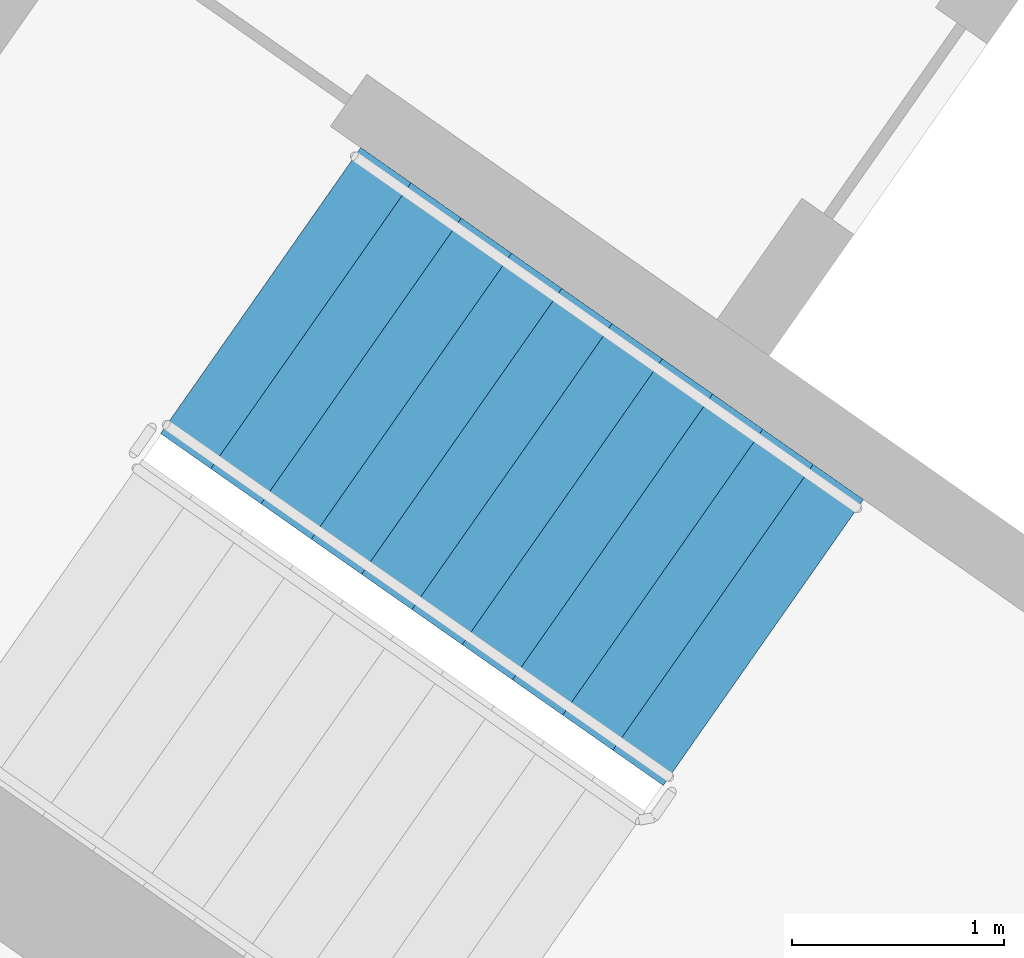
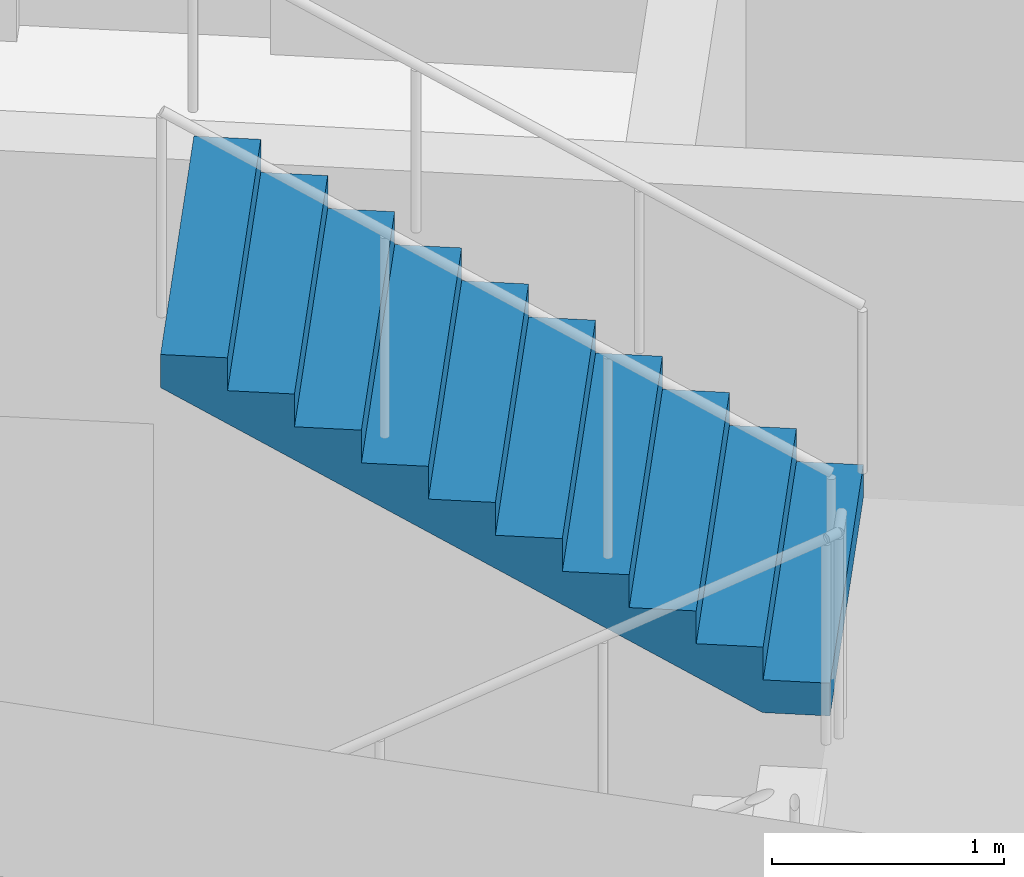
# One storey, part 10 of 29: 1 stair flight, 1 element without a shape of its own.
"""IFC4 building model written with IfcOpenShell, lengths in metres."""

from ifc_helpers import new_model, si_unit, direction, frame, origin, place, context, subcontext, project, spatial, faceted_brep, material, type_object, element, aggregate, save


model = new_model("IFC4")

# Units and contexts
model_context = context("Model", 3, precision=1e-05, world=origin(), true_north=direction((0.0, 1.0)))
body_context = subcontext(model_context, "Body", "Model", "MODEL_VIEW")
ifc_project = project(units=[si_unit("LENGTHUNIT", "METRE"), si_unit("AREAUNIT", "SQUARE_METRE"), si_unit("VOLUMEUNIT", "CUBIC_METRE"), si_unit("PLANEANGLEUNIT", "RADIAN"), si_unit("MASSUNIT", "GRAM", prefix="KILO")], contexts=[model_context])

# Site, building, storey
site_placement = place(None, origin())
site = spatial("IfcSite", under=ifc_project, at=site_placement, CompositionType="ELEMENT")
building_placement = place(site_placement, origin())
building = spatial("IfcBuilding", under=site, at=building_placement, Name="Qamariyya Broadcast Tower", CompositionType="ELEMENT")
storey_placement = place(building_placement, frame((0.0, 0.0, 261.89990234375)))
storey = spatial("IfcBuildingStorey", under=building, at=storey_placement, Name="L63", CompositionType="ELEMENT", Elevation=261.89990234375)

# Stair, stair flight
ifc_material = material(Name="Concrete C50/60", Category="concrete")
stair_type = type_object("IfcStairType", Name="Exit stair 22 risers of 173 mm", PredefinedType="HALF_TURN_STAIR", material=ifc_material)
stair_placement = place(storey_placement, origin())
stair = element("IfcStair", 1, at=stair_placement, inside=storey, type_object=stair_type, Name="L63 Stair W1", PredefinedType="HALF_TURN_STAIR")
stair_flight_type = type_object("IfcStairFlightType", Name="Exit stair flight 11 risers of 173 mm", PredefinedType="STRAIGHT", material=ifc_material)
stair_flight_placement = place(storey_placement, frame((-43.660888671875, -57.17138671875, 1.900146484375), z_axis=(0.0, 0.0, 1.0), x_axis=(-0.819152044289, 0.573576436351, 0.0)))
stair_flight = element("IfcStairFlight", 2, at=stair_flight_placement, type_object=stair_flight_type, Name="ST-W1 flight 2", NumberOfRisers=11, NumberOfTreads=10, PredefinedType="STRAIGHT", RiserHeight=0.172727273, TreadLength=0.29, context=body_context, shape_type="Brep", body=[
    faceted_brep([(0.0, 0.824951171875, 0.0), (0.0, 0.824951171875, 0.172607421875), (0.2900390625, 0.824951171875, 0.172607421875), (0.2900390625, 0.824951171875, 0.345458984375), (0.580078125, 0.824951171875, 0.345458984375), (0.580078125, 0.824951171875, 0.51806640625), (0.8701171875, 0.824951171875, 0.51806640625), (0.8701171875, 0.824951171875, 0.69091796875), (1.159912109375, 0.824951171875, 0.69091796875), (1.159912109375, 0.824951171875, 0.863525390625), (1.449951171875, 0.824951171875, 0.863525390625), (1.449951171875, 0.824951171875, 1.036376953125), (1.739990234375, 0.824951171875, 1.036376953125), (1.739990234375, 0.824951171875, 1.208984375), (2.030029296875, 0.824951171875, 1.208984375), (2.030029296875, 0.824951171875, 1.3818359375), (2.320068359375, 0.824951171875, 1.3818359375), (2.320068359375, 0.824951171875, 1.554443359375), (2.610107421875, 0.824951171875, 1.554443359375), (2.610107421875, 0.824951171875, 1.727294921875), (2.89990234375, 0.824951171875, 1.727294921875), (2.89990234375, 0.824951171875, 1.552734375), (0.29296875, 0.824951171875, 0.0), (0.29296875, -0.824951171875, 0.0), (2.89990234375, -0.824951171875, 1.552734375), (2.89990234375, -0.824951171875, 1.727294921875), (2.610107421875, -0.824951171875, 1.727294921875), (2.610107421875, -0.824951171875, 1.554443359375), (2.320068359375, -0.824951171875, 1.554443359375), (2.320068359375, -0.824951171875, 1.3818359375), (2.030029296875, -0.824951171875, 1.3818359375), (2.030029296875, -0.824951171875, 1.208984375), (1.739990234375, -0.824951171875, 1.208984375), (1.739990234375, -0.824951171875, 1.036376953125), (1.449951171875, -0.824951171875, 1.036376953125), (1.449951171875, -0.824951171875, 0.863525390625), (1.159912109375, -0.824951171875, 0.863525390625), (1.159912109375, -0.824951171875, 0.69091796875), (0.8701171875, -0.824951171875, 0.69091796875), (0.8701171875, -0.824951171875, 0.51806640625), (0.580078125, -0.824951171875, 0.51806640625), (0.580078125, -0.824951171875, 0.345458984375), (0.2900390625, -0.824951171875, 0.345458984375), (0.2900390625, -0.824951171875, 0.172607421875), (0.0, -0.824951171875, 0.172607421875), (0.0, -0.824951171875, 0.0), (0.0, 0.10009765625, 0.0), (0.0, 0.086669921875, 0.0), (0.0, 0.0732421875, 0.0), (0.0, 0.06005859375, 0.0), (0.0, 0.046630859375, 0.0), (0.0, 0.033447265625, 0.0), (0.0, 0.02001953125, 0.0), (0.0, 0.006591796875, 0.0), (0.0, -0.006591796875, 0.0), (0.0, -0.02001953125, 0.0), (0.0, -0.033447265625, 0.0), (0.0, -0.046630859375, 0.0), (0.0, -0.06005859375, 0.0), (0.0, -0.0732421875, 0.0), (0.0, -0.086669921875, 0.0), (0.0, -0.10009765625, 0.0), (0.0, -0.10009765625, 0.172607421875), (0.0, -0.086669921875, 0.172607421875), (0.0, -0.0732421875, 0.172607421875), (0.0, -0.06005859375, 0.172607421875), (0.0, -0.046630859375, 0.172607421875), (0.0, -0.033447265625, 0.172607421875), (0.0, -0.02001953125, 0.172607421875), (0.0, -0.006591796875, 0.172607421875), (0.0, 0.006591796875, 0.172607421875), (0.0, 0.02001953125, 0.172607421875), (0.0, 0.033447265625, 0.172607421875), (0.0, 0.046630859375, 0.172607421875), (0.0, 0.06005859375, 0.172607421875), (0.0, 0.0732421875, 0.172607421875), (0.0, 0.086669921875, 0.172607421875), (0.0, 0.10009765625, 0.172607421875), (0.2900390625, -0.10009765625, 0.172607421875), (0.2900390625, -0.086669921875, 0.172607421875), (0.2900390625, -0.0732421875, 0.172607421875), (0.2900390625, -0.06005859375, 0.172607421875), (0.2900390625, -0.046630859375, 0.172607421875), (0.2900390625, -0.033447265625, 0.172607421875), (0.2900390625, -0.02001953125, 0.172607421875), (0.2900390625, -0.006591796875, 0.172607421875), (0.2900390625, 0.006591796875, 0.172607421875), (0.2900390625, 0.02001953125, 0.172607421875), (0.2900390625, 0.033447265625, 0.172607421875), (0.2900390625, 0.046630859375, 0.172607421875), (0.2900390625, 0.06005859375, 0.172607421875), (0.2900390625, 0.0732421875, 0.172607421875), (0.2900390625, 0.086669921875, 0.172607421875), (0.2900390625, 0.10009765625, 0.172607421875), (0.2900390625, -0.10009765625, 0.345458984375), (0.2900390625, -0.086669921875, 0.345458984375), (0.2900390625, -0.0732421875, 0.345458984375), (0.2900390625, -0.06005859375, 0.345458984375), (0.2900390625, -0.046630859375, 0.345458984375), (0.2900390625, -0.033447265625, 0.345458984375), (0.2900390625, -0.02001953125, 0.345458984375), (0.2900390625, -0.006591796875, 0.345458984375), (0.2900390625, 0.006591796875, 0.345458984375), (0.2900390625, 0.02001953125, 0.345458984375), (0.2900390625, 0.033447265625, 0.345458984375), (0.2900390625, 0.046630859375, 0.345458984375), (0.2900390625, 0.06005859375, 0.345458984375), (0.2900390625, 0.0732421875, 0.345458984375), (0.2900390625, 0.086669921875, 0.345458984375), (0.2900390625, 0.10009765625, 0.345458984375), (0.580078125, -0.10009765625, 0.345458984375), (0.580078125, -0.086669921875, 0.345458984375), (0.580078125, -0.0732421875, 0.345458984375), (0.580078125, -0.06005859375, 0.345458984375), (0.580078125, -0.046630859375, 0.345458984375), (0.580078125, -0.033447265625, 0.345458984375), (0.580078125, -0.02001953125, 0.345458984375), (0.580078125, -0.006591796875, 0.345458984375), (0.580078125, 0.006591796875, 0.345458984375), (0.580078125, 0.02001953125, 0.345458984375), (0.580078125, 0.033447265625, 0.345458984375), (0.580078125, 0.046630859375, 0.345458984375), (0.580078125, 0.06005859375, 0.345458984375), (0.580078125, 0.0732421875, 0.345458984375), (0.580078125, 0.086669921875, 0.345458984375), (0.580078125, 0.10009765625, 0.345458984375), (0.580078125, -0.10009765625, 0.51806640625), (0.580078125, -0.086669921875, 0.51806640625), (0.580078125, -0.0732421875, 0.51806640625), (0.580078125, -0.06005859375, 0.51806640625), (0.580078125, -0.046630859375, 0.51806640625), (0.580078125, -0.033447265625, 0.51806640625), (0.580078125, -0.02001953125, 0.51806640625), (0.580078125, -0.006591796875, 0.51806640625), (0.580078125, 0.006591796875, 0.51806640625), (0.580078125, 0.02001953125, 0.51806640625), (0.580078125, 0.033447265625, 0.51806640625), (0.580078125, 0.046630859375, 0.51806640625), (0.580078125, 0.06005859375, 0.51806640625), (0.580078125, 0.0732421875, 0.51806640625), (0.580078125, 0.086669921875, 0.51806640625), (0.580078125, 0.10009765625, 0.51806640625), (0.8701171875, -0.10009765625, 0.51806640625), (0.8701171875, -0.086669921875, 0.51806640625), (0.8701171875, -0.0732421875, 0.51806640625), (0.8701171875, -0.06005859375, 0.51806640625), (0.8701171875, -0.046630859375, 0.51806640625), (0.8701171875, -0.033447265625, 0.51806640625), (0.8701171875, -0.02001953125, 0.51806640625), (0.8701171875, -0.006591796875, 0.51806640625), (0.8701171875, 0.006591796875, 0.51806640625), (0.8701171875, 0.02001953125, 0.51806640625), (0.8701171875, 0.033447265625, 0.51806640625), (0.8701171875, 0.046630859375, 0.51806640625), (0.8701171875, 0.06005859375, 0.51806640625), (0.8701171875, 0.0732421875, 0.51806640625), (0.8701171875, 0.086669921875, 0.51806640625), (0.8701171875, 0.10009765625, 0.51806640625), (0.8701171875, -0.10009765625, 0.69091796875), (0.8701171875, -0.086669921875, 0.69091796875), (0.8701171875, -0.0732421875, 0.69091796875), (0.8701171875, -0.06005859375, 0.69091796875), (0.8701171875, -0.046630859375, 0.69091796875), (0.8701171875, -0.033447265625, 0.69091796875), (0.8701171875, -0.02001953125, 0.69091796875), (0.8701171875, -0.006591796875, 0.69091796875), (0.8701171875, 0.006591796875, 0.69091796875), (0.8701171875, 0.02001953125, 0.69091796875), (0.8701171875, 0.033447265625, 0.69091796875), (0.8701171875, 0.046630859375, 0.69091796875), (0.8701171875, 0.06005859375, 0.69091796875), (0.8701171875, 0.0732421875, 0.69091796875), (0.8701171875, 0.086669921875, 0.69091796875), (0.8701171875, 0.10009765625, 0.69091796875), (1.159912109375, -0.10009765625, 0.69091796875), (1.159912109375, -0.086669921875, 0.69091796875), (1.159912109375, -0.0732421875, 0.69091796875), (1.159912109375, -0.06005859375, 0.69091796875), (1.159912109375, -0.046630859375, 0.69091796875), (1.159912109375, -0.033447265625, 0.69091796875), (1.159912109375, -0.02001953125, 0.69091796875), (1.159912109375, -0.006591796875, 0.69091796875), (1.159912109375, 0.006591796875, 0.69091796875), (1.159912109375, 0.02001953125, 0.69091796875), (1.159912109375, 0.033447265625, 0.69091796875), (1.159912109375, 0.046630859375, 0.69091796875), (1.159912109375, 0.06005859375, 0.69091796875), (1.159912109375, 0.0732421875, 0.69091796875), (1.159912109375, 0.086669921875, 0.69091796875), (1.159912109375, 0.10009765625, 0.69091796875), (1.159912109375, -0.10009765625, 0.863525390625), (1.159912109375, -0.086669921875, 0.863525390625), (1.159912109375, -0.0732421875, 0.863525390625), (1.159912109375, -0.06005859375, 0.863525390625), (1.159912109375, -0.046630859375, 0.863525390625), (1.159912109375, -0.033447265625, 0.863525390625), (1.159912109375, -0.02001953125, 0.863525390625), (1.159912109375, -0.006591796875, 0.863525390625), (1.159912109375, 0.006591796875, 0.863525390625), (1.159912109375, 0.02001953125, 0.863525390625), (1.159912109375, 0.033447265625, 0.863525390625), (1.159912109375, 0.046630859375, 0.863525390625), (1.159912109375, 0.06005859375, 0.863525390625), (1.159912109375, 0.0732421875, 0.863525390625), (1.159912109375, 0.086669921875, 0.863525390625), (1.159912109375, 0.10009765625, 0.863525390625), (1.449951171875, -0.10009765625, 0.863525390625), (1.449951171875, -0.086669921875, 0.863525390625), (1.449951171875, -0.0732421875, 0.863525390625), (1.449951171875, -0.06005859375, 0.863525390625), (1.449951171875, -0.046630859375, 0.863525390625), (1.449951171875, -0.033447265625, 0.863525390625), (1.449951171875, -0.02001953125, 0.863525390625), (1.449951171875, -0.006591796875, 0.863525390625), (1.449951171875, 0.006591796875, 0.863525390625), (1.449951171875, 0.02001953125, 0.863525390625), (1.449951171875, 0.033447265625, 0.863525390625), (1.449951171875, 0.046630859375, 0.863525390625), (1.449951171875, 0.06005859375, 0.863525390625), (1.449951171875, 0.0732421875, 0.863525390625), (1.449951171875, 0.086669921875, 0.863525390625), (1.449951171875, 0.10009765625, 0.863525390625), (1.449951171875, -0.10009765625, 1.036376953125), (1.449951171875, -0.086669921875, 1.036376953125), (1.449951171875, -0.0732421875, 1.036376953125), (1.449951171875, -0.06005859375, 1.036376953125), (1.449951171875, -0.046630859375, 1.036376953125), (1.449951171875, -0.033447265625, 1.036376953125), (1.449951171875, -0.02001953125, 1.036376953125), (1.449951171875, -0.006591796875, 1.036376953125), (1.449951171875, 0.006591796875, 1.036376953125), (1.449951171875, 0.02001953125, 1.036376953125), (1.449951171875, 0.033447265625, 1.036376953125), (1.449951171875, 0.046630859375, 1.036376953125), (1.449951171875, 0.06005859375, 1.036376953125), (1.449951171875, 0.0732421875, 1.036376953125), (1.449951171875, 0.086669921875, 1.036376953125), (1.449951171875, 0.10009765625, 1.036376953125), (1.739990234375, -0.10009765625, 1.036376953125), (1.739990234375, -0.086669921875, 1.036376953125), (1.739990234375, -0.0732421875, 1.036376953125), (1.739990234375, -0.06005859375, 1.036376953125), (1.739990234375, -0.046630859375, 1.036376953125), (1.739990234375, -0.033447265625, 1.036376953125), (1.739990234375, -0.02001953125, 1.036376953125), (1.739990234375, -0.006591796875, 1.036376953125), (1.739990234375, 0.006591796875, 1.036376953125), (1.739990234375, 0.02001953125, 1.036376953125), (1.739990234375, 0.033447265625, 1.036376953125), (1.739990234375, 0.046630859375, 1.036376953125), (1.739990234375, 0.06005859375, 1.036376953125), (1.739990234375, 0.0732421875, 1.036376953125), (1.739990234375, 0.086669921875, 1.036376953125), (1.739990234375, 0.10009765625, 1.036376953125), (1.739990234375, -0.10009765625, 1.208984375), (1.739990234375, -0.086669921875, 1.208984375), (1.739990234375, -0.0732421875, 1.208984375), (1.739990234375, -0.06005859375, 1.208984375), (1.739990234375, -0.046630859375, 1.208984375), (1.739990234375, -0.033447265625, 1.208984375), (1.739990234375, -0.02001953125, 1.208984375), (1.739990234375, -0.006591796875, 1.208984375), (1.739990234375, 0.006591796875, 1.208984375), (1.739990234375, 0.02001953125, 1.208984375), (1.739990234375, 0.033447265625, 1.208984375), (1.739990234375, 0.046630859375, 1.208984375), (1.739990234375, 0.06005859375, 1.208984375), (1.739990234375, 0.0732421875, 1.208984375), (1.739990234375, 0.086669921875, 1.208984375), (1.739990234375, 0.10009765625, 1.208984375), (2.030029296875, -0.10009765625, 1.208984375), (2.030029296875, -0.086669921875, 1.208984375), (2.030029296875, -0.0732421875, 1.208984375), (2.030029296875, -0.06005859375, 1.208984375), (2.030029296875, -0.046630859375, 1.208984375), (2.030029296875, -0.033447265625, 1.208984375), (2.030029296875, -0.02001953125, 1.208984375), (2.030029296875, -0.006591796875, 1.208984375), (2.030029296875, 0.006591796875, 1.208984375), (2.030029296875, 0.02001953125, 1.208984375), (2.030029296875, 0.033447265625, 1.208984375), (2.030029296875, 0.046630859375, 1.208984375), (2.030029296875, 0.06005859375, 1.208984375), (2.030029296875, 0.0732421875, 1.208984375), (2.030029296875, 0.086669921875, 1.208984375), (2.030029296875, 0.10009765625, 1.208984375), (2.030029296875, -0.10009765625, 1.3818359375), (2.030029296875, -0.086669921875, 1.3818359375), (2.030029296875, -0.0732421875, 1.3818359375), (2.030029296875, -0.06005859375, 1.3818359375), (2.030029296875, -0.046630859375, 1.3818359375), (2.030029296875, -0.033447265625, 1.3818359375), (2.030029296875, -0.02001953125, 1.3818359375), (2.030029296875, -0.006591796875, 1.3818359375), (2.030029296875, 0.006591796875, 1.3818359375), (2.030029296875, 0.02001953125, 1.3818359375), (2.030029296875, 0.033447265625, 1.3818359375), (2.030029296875, 0.046630859375, 1.3818359375), (2.030029296875, 0.06005859375, 1.3818359375), (2.030029296875, 0.0732421875, 1.3818359375), (2.030029296875, 0.086669921875, 1.3818359375), (2.030029296875, 0.10009765625, 1.3818359375), (2.320068359375, -0.10009765625, 1.3818359375), (2.320068359375, -0.086669921875, 1.3818359375), (2.320068359375, -0.0732421875, 1.3818359375), (2.320068359375, -0.06005859375, 1.3818359375), (2.320068359375, -0.046630859375, 1.3818359375), (2.320068359375, -0.033447265625, 1.3818359375), (2.320068359375, -0.02001953125, 1.3818359375), (2.320068359375, -0.006591796875, 1.3818359375), (2.320068359375, 0.006591796875, 1.3818359375), (2.320068359375, 0.02001953125, 1.3818359375), (2.320068359375, 0.033447265625, 1.3818359375), (2.320068359375, 0.046630859375, 1.3818359375), (2.320068359375, 0.06005859375, 1.3818359375), (2.320068359375, 0.0732421875, 1.3818359375), (2.320068359375, 0.086669921875, 1.3818359375), (2.320068359375, 0.10009765625, 1.3818359375), (2.320068359375, -0.10009765625, 1.554443359375), (2.320068359375, -0.086669921875, 1.554443359375), (2.320068359375, -0.0732421875, 1.554443359375), (2.320068359375, -0.06005859375, 1.554443359375), (2.320068359375, -0.046630859375, 1.554443359375), (2.320068359375, -0.033447265625, 1.554443359375), (2.320068359375, -0.02001953125, 1.554443359375), (2.320068359375, -0.006591796875, 1.554443359375), (2.320068359375, 0.006591796875, 1.554443359375), (2.320068359375, 0.02001953125, 1.554443359375), (2.320068359375, 0.033447265625, 1.554443359375), (2.320068359375, 0.046630859375, 1.554443359375), (2.320068359375, 0.06005859375, 1.554443359375), (2.320068359375, 0.0732421875, 1.554443359375), (2.320068359375, 0.086669921875, 1.554443359375), (2.320068359375, 0.10009765625, 1.554443359375), (2.610107421875, -0.10009765625, 1.554443359375), (2.610107421875, -0.086669921875, 1.554443359375), (2.610107421875, -0.0732421875, 1.554443359375), (2.610107421875, -0.06005859375, 1.554443359375), (2.610107421875, -0.046630859375, 1.554443359375), (2.610107421875, -0.033447265625, 1.554443359375), (2.610107421875, -0.02001953125, 1.554443359375), (2.610107421875, -0.006591796875, 1.554443359375), (2.610107421875, 0.006591796875, 1.554443359375), (2.610107421875, 0.02001953125, 1.554443359375), (2.610107421875, 0.033447265625, 1.554443359375), (2.610107421875, 0.046630859375, 1.554443359375), (2.610107421875, 0.06005859375, 1.554443359375), (2.610107421875, 0.0732421875, 1.554443359375), (2.610107421875, 0.086669921875, 1.554443359375), (2.610107421875, 0.10009765625, 1.554443359375), (2.610107421875, -0.10009765625, 1.727294921875), (2.610107421875, -0.086669921875, 1.727294921875), (2.610107421875, -0.0732421875, 1.727294921875), (2.610107421875, -0.06005859375, 1.727294921875), (2.610107421875, -0.046630859375, 1.727294921875), (2.610107421875, -0.033447265625, 1.727294921875), (2.610107421875, -0.02001953125, 1.727294921875), (2.610107421875, -0.006591796875, 1.727294921875), (2.610107421875, 0.006591796875, 1.727294921875), (2.610107421875, 0.02001953125, 1.727294921875), (2.610107421875, 0.033447265625, 1.727294921875), (2.610107421875, 0.046630859375, 1.727294921875), (2.610107421875, 0.06005859375, 1.727294921875), (2.610107421875, 0.0732421875, 1.727294921875), (2.610107421875, 0.086669921875, 1.727294921875), (2.610107421875, 0.10009765625, 1.727294921875), (2.89990234375, -0.10009765625, 1.727294921875), (2.89990234375, -0.086669921875, 1.727294921875), (2.89990234375, -0.0732421875, 1.727294921875), (2.89990234375, -0.06005859375, 1.727294921875), (2.89990234375, -0.046630859375, 1.727294921875), (2.89990234375, -0.033447265625, 1.727294921875), (2.89990234375, -0.02001953125, 1.727294921875), (2.89990234375, -0.006591796875, 1.727294921875), (2.89990234375, 0.006591796875, 1.727294921875), (2.89990234375, 0.02001953125, 1.727294921875), (2.89990234375, 0.033447265625, 1.727294921875), (2.89990234375, 0.046630859375, 1.727294921875), (2.89990234375, 0.06005859375, 1.727294921875), (2.89990234375, 0.0732421875, 1.727294921875), (2.89990234375, 0.086669921875, 1.727294921875), (2.89990234375, 0.10009765625, 1.727294921875), (2.89990234375, -0.10009765625, 1.552734375), (2.89990234375, -0.086669921875, 1.552734375), (2.89990234375, -0.0732421875, 1.552734375), (2.89990234375, -0.06005859375, 1.552734375), (2.89990234375, -0.046630859375, 1.552734375), (2.89990234375, -0.033447265625, 1.552734375), (2.89990234375, -0.02001953125, 1.552734375), (2.89990234375, -0.006591796875, 1.552734375), (2.89990234375, 0.006591796875, 1.552734375), (2.89990234375, 0.02001953125, 1.552734375), (2.89990234375, 0.033447265625, 1.552734375), (2.89990234375, 0.046630859375, 1.552734375), (2.89990234375, 0.06005859375, 1.552734375), (2.89990234375, 0.0732421875, 1.552734375), (2.89990234375, 0.086669921875, 1.552734375), (2.89990234375, 0.10009765625, 1.552734375), (0.29296875, -0.10009765625, 0.0), (0.29296875, -0.086669921875, 0.0), (0.29296875, -0.0732421875, 0.0), (0.29296875, -0.06005859375, 0.0), (0.29296875, -0.046630859375, 0.0), (0.29296875, -0.033447265625, 0.0), (0.29296875, -0.02001953125, 0.0), (0.29296875, -0.006591796875, 0.0), (0.29296875, 0.006591796875, 0.0), (0.29296875, 0.02001953125, 0.0), (0.29296875, 0.033447265625, 0.0), (0.29296875, 0.046630859375, 0.0), (0.29296875, 0.06005859375, 0.0), (0.29296875, 0.0732421875, 0.0), (0.29296875, 0.086669921875, 0.0), (0.29296875, 0.10009765625, 0.0)], [[[0, 1, 2, 3, 4, 5, 6, 7, 8, 9, 10, 11, 12, 13, 14, 15, 16, 17, 18, 19, 20, 21, 22]], [[23, 24, 25, 26, 27, 28, 29, 30, 31, 32, 33, 34, 35, 36, 37, 38, 39, 40, 41, 42, 43, 44, 45]], [[0, 46, 47, 48, 49, 50, 51, 52, 53, 54, 55, 56, 57, 58, 59, 60, 61, 45, 44, 62, 63, 64, 65, 66, 67, 68, 69, 70, 71, 72, 73, 74, 75, 76, 77, 1]], [[1, 77, 76, 75, 74, 73, 72, 71, 70, 69, 68, 67, 66, 65, 64, 63, 62, 44, 43, 78, 79, 80, 81, 82, 83, 84, 85, 86, 87, 88, 89, 90, 91, 92, 93, 2]], [[2, 93, 92, 91, 90, 89, 88, 87, 86, 85, 84, 83, 82, 81, 80, 79, 78, 43, 42, 94, 95, 96, 97, 98, 99, 100, 101, 102, 103, 104, 105, 106, 107, 108, 109, 3]], [[3, 109, 108, 107, 106, 105, 104, 103, 102, 101, 100, 99, 98, 97, 96, 95, 94, 42, 41, 110, 111, 112, 113, 114, 115, 116, 117, 118, 119, 120, 121, 122, 123, 124, 125, 4]], [[4, 125, 124, 123, 122, 121, 120, 119, 118, 117, 116, 115, 114, 113, 112, 111, 110, 41, 40, 126, 127, 128, 129, 130, 131, 132, 133, 134, 135, 136, 137, 138, 139, 140, 141, 5]], [[5, 141, 140, 139, 138, 137, 136, 135, 134, 133, 132, 131, 130, 129, 128, 127, 126, 40, 39, 142, 143, 144, 145, 146, 147, 148, 149, 150, 151, 152, 153, 154, 155, 156, 157, 6]], [[6, 157, 156, 155, 154, 153, 152, 151, 150, 149, 148, 147, 146, 145, 144, 143, 142, 39, 38, 158, 159, 160, 161, 162, 163, 164, 165, 166, 167, 168, 169, 170, 171, 172, 173, 7]], [[7, 173, 172, 171, 170, 169, 168, 167, 166, 165, 164, 163, 162, 161, 160, 159, 158, 38, 37, 174, 175, 176, 177, 178, 179, 180, 181, 182, 183, 184, 185, 186, 187, 188, 189, 8]], [[8, 189, 188, 187, 186, 185, 184, 183, 182, 181, 180, 179, 178, 177, 176, 175, 174, 37, 36, 190, 191, 192, 193, 194, 195, 196, 197, 198, 199, 200, 201, 202, 203, 204, 205, 9]], [[9, 205, 204, 203, 202, 201, 200, 199, 198, 197, 196, 195, 194, 193, 192, 191, 190, 36, 35, 206, 207, 208, 209, 210, 211, 212, 213, 214, 215, 216, 217, 218, 219, 220, 221, 10]], [[10, 221, 220, 219, 218, 217, 216, 215, 214, 213, 212, 211, 210, 209, 208, 207, 206, 35, 34, 222, 223, 224, 225, 226, 227, 228, 229, 230, 231, 232, 233, 234, 235, 236, 237, 11]], [[11, 237, 236, 235, 234, 233, 232, 231, 230, 229, 228, 227, 226, 225, 224, 223, 222, 34, 33, 238, 239, 240, 241, 242, 243, 244, 245, 246, 247, 248, 249, 250, 251, 252, 253, 12]], [[12, 253, 252, 251, 250, 249, 248, 247, 246, 245, 244, 243, 242, 241, 240, 239, 238, 33, 32, 254, 255, 256, 257, 258, 259, 260, 261, 262, 263, 264, 265, 266, 267, 268, 269, 13]], [[13, 269, 268, 267, 266, 265, 264, 263, 262, 261, 260, 259, 258, 257, 256, 255, 254, 32, 31, 270, 271, 272, 273, 274, 275, 276, 277, 278, 279, 280, 281, 282, 283, 284, 285, 14]], [[14, 285, 284, 283, 282, 281, 280, 279, 278, 277, 276, 275, 274, 273, 272, 271, 270, 31, 30, 286, 287, 288, 289, 290, 291, 292, 293, 294, 295, 296, 297, 298, 299, 300, 301, 15]], [[15, 301, 300, 299, 298, 297, 296, 295, 294, 293, 292, 291, 290, 289, 288, 287, 286, 30, 29, 302, 303, 304, 305, 306, 307, 308, 309, 310, 311, 312, 313, 314, 315, 316, 317, 16]], [[16, 317, 316, 315, 314, 313, 312, 311, 310, 309, 308, 307, 306, 305, 304, 303, 302, 29, 28, 318, 319, 320, 321, 322, 323, 324, 325, 326, 327, 328, 329, 330, 331, 332, 333, 17]], [[17, 333, 332, 331, 330, 329, 328, 327, 326, 325, 324, 323, 322, 321, 320, 319, 318, 28, 27, 334, 335, 336, 337, 338, 339, 340, 341, 342, 343, 344, 345, 346, 347, 348, 349, 18]], [[18, 349, 348, 347, 346, 345, 344, 343, 342, 341, 340, 339, 338, 337, 336, 335, 334, 27, 26, 350, 351, 352, 353, 354, 355, 356, 357, 358, 359, 360, 361, 362, 363, 364, 365, 19]], [[19, 365, 364, 363, 362, 361, 360, 359, 358, 357, 356, 355, 354, 353, 352, 351, 350, 26, 25, 366, 367, 368, 369, 370, 371, 372, 373, 374, 375, 376, 377, 378, 379, 380, 381, 20]], [[20, 381, 380, 379, 378, 377, 376, 375, 374, 373, 372, 371, 370, 369, 368, 367, 366, 25, 24, 382, 383, 384, 385, 386, 387, 388, 389, 390, 391, 392, 393, 394, 395, 396, 397, 21]], [[21, 397, 396, 395, 394, 393, 392, 391, 390, 389, 388, 387, 386, 385, 384, 383, 382, 24, 23, 398, 399, 400, 401, 402, 403, 404, 405, 406, 407, 408, 409, 410, 411, 412, 413, 22]], [[22, 413, 412, 411, 410, 409, 408, 407, 406, 405, 404, 403, 402, 401, 400, 399, 398, 23, 45, 61, 60, 59, 58, 57, 56, 55, 54, 53, 52, 51, 50, 49, 48, 47, 46, 0]]]),
])
aggregate(stair, [stair_flight])

save(model, "model.ifc")
